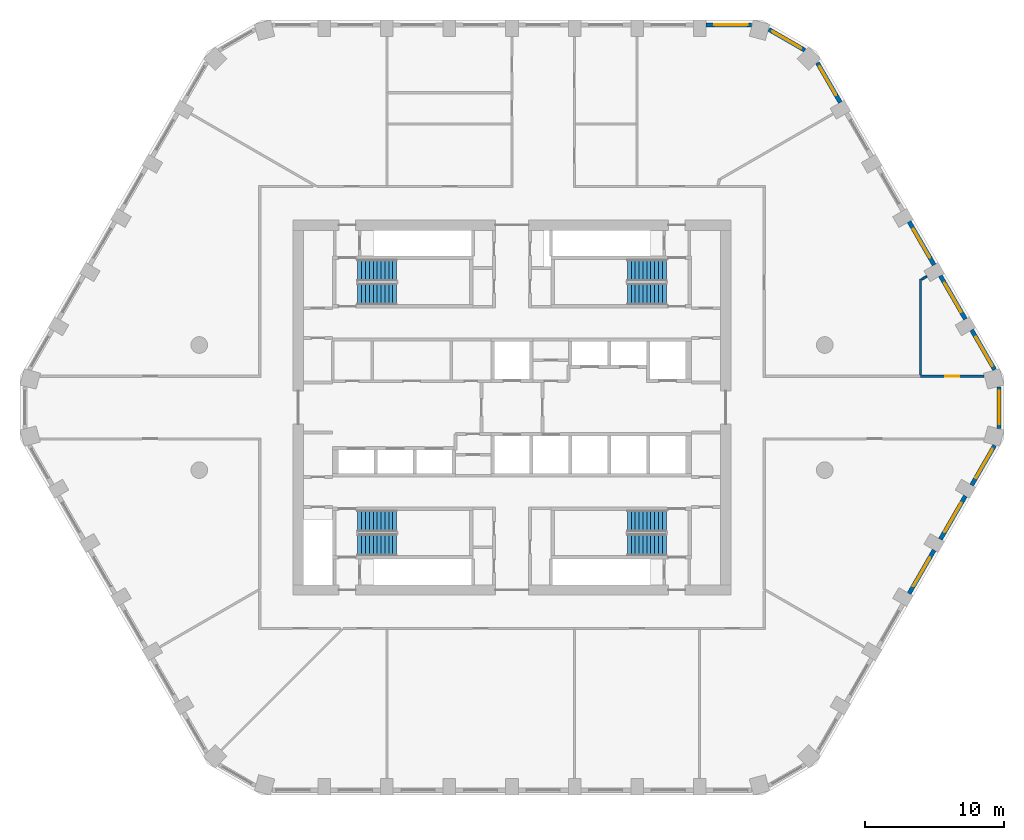
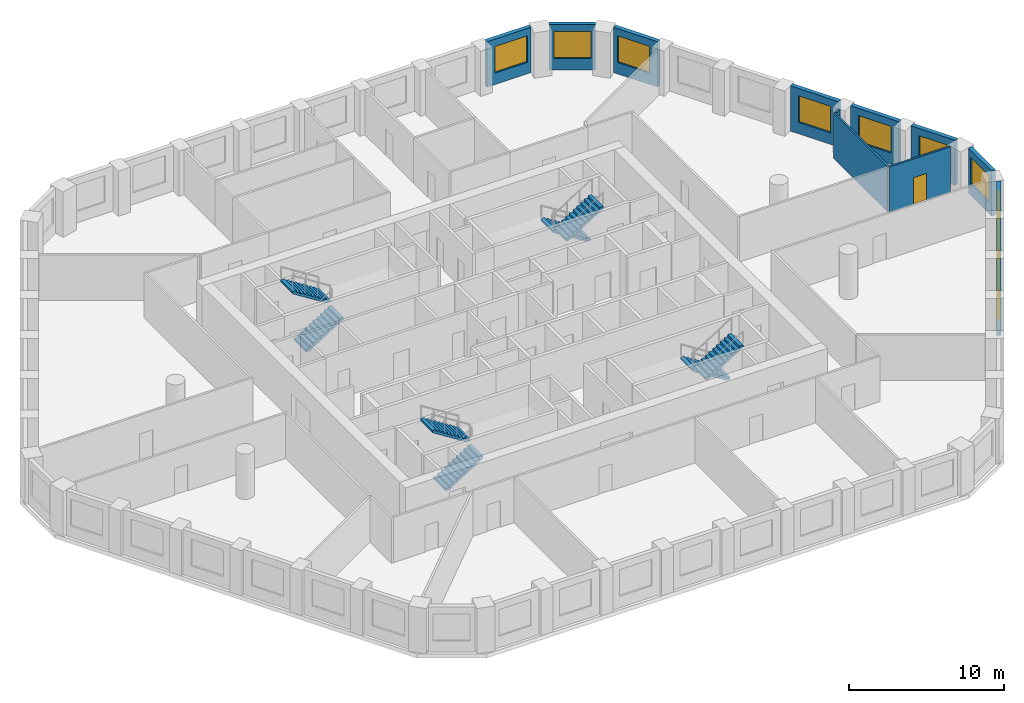
# One storey, part 8 of 9: 13 walls, 10 windows, 8 stair flights, 1 door, 11 openings, 4 elements without a shape of their own.
"""IFC4 building model written with IfcOpenShell, lengths in metres."""

from ifc_helpers import new_model, si_unit, direction, frame, frame_2d, origin, place, context, subcontext, project, spatial, polyline, rectangle, outline, extrude, material, layer, layer_set, type_object, element, fill, aggregate, save


model = new_model("IFC4")

# Units and contexts
model_context = context("Model", 3, precision=1e-05, world=origin(), true_north=direction((0.0, 1.0)))
body_context = subcontext(model_context, "Body", "Model", "MODEL_VIEW")
ifc_project = project(units=[si_unit("LENGTHUNIT", "METRE"), si_unit("AREAUNIT", "SQUARE_METRE"), si_unit("VOLUMEUNIT", "CUBIC_METRE"), si_unit("PLANEANGLEUNIT", "RADIAN"), si_unit("MASSUNIT", "GRAM", prefix="KILO")], contexts=[model_context])

# Site, building, storey
site_placement = place(None, origin())
site = spatial("IfcSite", under=ifc_project, at=site_placement, CompositionType="ELEMENT")
building_placement = place(site_placement, origin())
building = spatial("IfcBuilding", under=site, at=building_placement, Name="Dhurran Vertical Campus", CompositionType="ELEMENT")
storey_placement = place(building_placement, frame((0.0, 0.0, 163.800048828125)))
storey = spatial("IfcBuildingStorey", under=building, at=storey_placement, Name="L40", CompositionType="ELEMENT", Elevation=163.800048828125)

# Wall, opening, window
ifc_material_1 = material(Name="Precast concrete C50/60", Category="concrete")
ifc_layer_1 = layer(ifc_material_1, 0.300048828125)
ifc_layer_set_1 = layer_set([ifc_layer_1], Name="Precast concrete C50/60")
wall_type_1 = type_object("IfcWallType", Name="Precast spandrel wall 300", PredefinedType="SOLIDWALL", material=ifc_layer_set_1)
wall_1_placement = place(storey_placement, frame((28.5693359375, -13.376220703125, 0.0), z_axis=(0.0, 0.0, 1.0), x_axis=(0.500027802648, 0.866009351323, 0.0)))
wall_1 = element("IfcWall", 1, at=wall_1_placement, inside=storey, type_object=wall_type_1, Name="EW1 L40.12", PredefinedType="SOLIDWALL", context=body_context, shape_type="SweptSolid", body=[
    extrude(rectangle(XDim=3.598876953125, YDim=0.300048828125, at=frame_2d((1.79931640625, 0.0))), origin(), (0.0, 0.0, 1.0), 3.574951171875),
])
opening_1_placement = place(wall_1_placement, frame((0.599609375, 0.0, 0.89990234375)))
opening_1 = element("IfcOpeningElement", 2, at=opening_1_placement, cuts=wall_1, Name="Opening WT1", PredefinedType="OPENING", context=body_context, shape_type="SweptSolid", body=[
    extrude(rectangle(XDim=2.39990234375, YDim=2.10009765625, at=frame_2d((1.199951171875, 1.050048828125))), frame((0.0, 0.159912109375, 0.0), z_axis=(0.0, -1.0, 0.0), x_axis=(1.0, 0.0, 0.0)), (0.0, 0.0, 1.0), 0.320068359375),
])
ifc_material_2 = material(Name="Aluminium frame with solar-control glass", Category="aluminium")
window_type = type_object("IfcWindowType", Name="Punched window 2400 x 2100", PartitioningType="SINGLE_PANEL", PredefinedType="WINDOW", material=ifc_material_2)
window_1_placement = place(opening_1_placement, origin())
window_1 = element("IfcWindow", 3, at=window_1_placement, inside=storey, type_object=window_type, Name="WT1 L40.12", OverallHeight=2.10009765625, OverallWidth=2.39990234375, PartitioningType="SINGLE_PANEL", PredefinedType="WINDOW", context=body_context, shape_type="SweptSolid", body=[
    extrude(rectangle(XDim=2.39990234375, YDim=2.10009765625, at=frame_2d((1.199951171875, 1.050048828125))), frame((0.0, 0.030029296875, 0.0), z_axis=(0.0, -1.0, 0.0), x_axis=(1.0, 0.0, 0.0)), (0.0, 0.0, 1.0), 0.06005859375),
])
fill(opening_1, window_1)

wall_2_placement = place(storey_placement, frame((30.8193359375, -9.47900390625, 0.0), z_axis=(0.0, 0.0, 1.0), x_axis=(0.500027802648, 0.866009351323, 0.0)))
wall_2 = element("IfcWall", 4, at=wall_2_placement, inside=storey, type_object=wall_type_1, Name="EW1 L40.13", PredefinedType="SOLIDWALL", context=body_context, shape_type="SweptSolid", body=[
    extrude(rectangle(XDim=3.598876953125, YDim=0.300048828125, at=frame_2d((1.79931640625, 0.0))), origin(), (0.0, 0.0, 1.0), 3.574951171875),
])
opening_2_placement = place(wall_2_placement, frame((0.599609375, 0.0, 0.89990234375)))
opening_2 = element("IfcOpeningElement", 5, at=opening_2_placement, cuts=wall_2, Name="Opening WT1", PredefinedType="OPENING", context=body_context, shape_type="SweptSolid", body=[
    extrude(rectangle(XDim=2.39990234375, YDim=2.10009765625, at=frame_2d((1.199951171875, 1.050048828125))), frame((0.0, 0.159912109375, 0.0), z_axis=(0.0, -1.0, 0.0), x_axis=(1.0, 0.0, 0.0)), (0.0, 0.0, 1.0), 0.320068359375),
])
window_2_placement = place(opening_2_placement, origin())
window_2 = element("IfcWindow", 6, at=window_2_placement, inside=storey, type_object=window_type, Name="WT1 L40.13", OverallHeight=2.10009765625, OverallWidth=2.39990234375, PartitioningType="SINGLE_PANEL", PredefinedType="WINDOW", context=body_context, shape_type="SweptSolid", body=[
    extrude(rectangle(XDim=2.39990234375, YDim=2.10009765625, at=frame_2d((1.199951171875, 1.050048828125))), frame((0.0, 0.030029296875, 0.0), z_axis=(0.0, -1.0, 0.0), x_axis=(1.0, 0.0, 0.0)), (0.0, 0.0, 1.0), 0.06005859375),
])
fill(opening_2, window_2)

wall_3_placement = place(storey_placement, frame((33.0693359375, -5.58203125, 0.0), z_axis=(0.0, 0.0, 1.0), x_axis=(0.499981217486, 0.866036247602, 0.0)))
wall_3 = element("IfcWall", 7, at=wall_3_placement, inside=storey, type_object=wall_type_1, Name="EW1 L40.14", PredefinedType="SOLIDWALL", context=body_context, shape_type="SweptSolid", body=[
    extrude(rectangle(XDim=3.294189453125, YDim=0.300048828125, at=frame_2d((1.64697265625, 0.0))), origin(), (0.0, 0.0, 1.0), 3.574951171875),
])
opening_3_placement = place(wall_3_placement, frame((0.599609375, 0.0, 0.89990234375)))
opening_3 = element("IfcOpeningElement", 8, at=opening_3_placement, cuts=wall_3, Name="Opening WT1", PredefinedType="OPENING", context=body_context, shape_type="SweptSolid", body=[
    extrude(rectangle(XDim=2.39990234375, YDim=2.10009765625, at=frame_2d((1.199951171875, 1.050048828125))), frame((0.0, 0.159912109375, 0.0), z_axis=(0.0, -1.0, 0.0), x_axis=(1.0, 0.0, 0.0)), (0.0, 0.0, 1.0), 0.320068359375),
])
window_3_placement = place(opening_3_placement, origin())
window_3 = element("IfcWindow", 9, at=window_3_placement, inside=storey, type_object=window_type, Name="WT1 L40.14", OverallHeight=2.10009765625, OverallWidth=2.39990234375, PartitioningType="SINGLE_PANEL", PredefinedType="WINDOW", context=body_context, shape_type="SweptSolid", body=[
    extrude(rectangle(XDim=2.39990234375, YDim=2.10009765625, at=frame_2d((1.199951171875, 1.050048828125))), frame((0.0, 0.030029296875, 0.0), z_axis=(0.0, -1.0, 0.0), x_axis=(1.0, 0.0, 0.0)), (0.0, 0.0, 1.0), 0.06005859375),
])
fill(opening_3, window_3)

wall_4_placement = place(storey_placement, frame((35.047119140625, -1.49462890625, 0.0), z_axis=(0.0, 0.0, 1.0), x_axis=(0.0, 1.0, 0.0)))
wall_4 = element("IfcWall", 10, at=wall_4_placement, inside=storey, type_object=wall_type_1, Name="EW1 L40.15", PredefinedType="SOLIDWALL", context=body_context, shape_type="SweptSolid", body=[
    extrude(rectangle(XDim=2.9892578125, YDim=0.300048828125, at=frame_2d((1.49462890625, 0.0))), origin(), (0.0, 0.0, 1.0), 3.574951171875),
])
opening_4_placement = place(wall_4_placement, frame((0.294677734375, 0.0, 0.89990234375)))
opening_4 = element("IfcOpeningElement", 11, at=opening_4_placement, cuts=wall_4, Name="Opening WT1", PredefinedType="OPENING", context=body_context, shape_type="SweptSolid", body=[
    extrude(rectangle(XDim=2.39990234375, YDim=2.10009765625, at=frame_2d((1.199951171875, 1.050048828125))), frame((0.0, 0.159912109375, 0.0), z_axis=(0.0, -1.0, 0.0), x_axis=(1.0, 0.0, 0.0)), (0.0, 0.0, 1.0), 0.320068359375),
])
window_4_placement = place(opening_4_placement, origin())
window_4 = element("IfcWindow", 12, at=window_4_placement, inside=storey, type_object=window_type, Name="WT1 L40.15", OverallHeight=2.10009765625, OverallWidth=2.39990234375, PartitioningType="SINGLE_PANEL", PredefinedType="WINDOW", context=body_context, shape_type="SweptSolid", body=[
    extrude(rectangle(XDim=2.39990234375, YDim=2.10009765625, at=frame_2d((1.199951171875, 1.050048828125))), frame((0.0, 0.030029296875, 0.0), z_axis=(0.0, -1.0, 0.0), x_axis=(1.0, 0.0, 0.0)), (0.0, 0.0, 1.0), 0.06005859375),
])
fill(opening_4, window_4)

wall_5_placement = place(storey_placement, frame((34.71630859375, 2.729248046875, 0.0), z_axis=(0.0, 0.0, 1.0), x_axis=(-0.499981217486, 0.866036247602, 0.0)))
wall_5 = element("IfcWall", 13, at=wall_5_placement, inside=storey, type_object=wall_type_1, Name="EW1 L40.16", PredefinedType="SOLIDWALL", context=body_context, shape_type="SweptSolid", body=[
    extrude(rectangle(XDim=3.294189453125, YDim=0.300048828125, at=frame_2d((1.64697265625, 0.0))), origin(), (0.0, 0.0, 1.0), 3.574951171875),
])
opening_5_placement = place(wall_5_placement, frame((0.294677734375, 0.0, 0.89990234375)))
opening_5 = element("IfcOpeningElement", 14, at=opening_5_placement, cuts=wall_5, Name="Opening WT1", PredefinedType="OPENING", context=body_context, shape_type="SweptSolid", body=[
    extrude(rectangle(XDim=2.39990234375, YDim=2.10009765625, at=frame_2d((1.199951171875, 1.050048828125))), frame((0.0, 0.159912109375, 0.0), z_axis=(0.0, -1.0, 0.0), x_axis=(1.0, 0.0, 0.0)), (0.0, 0.0, 1.0), 0.320068359375),
])
window_5_placement = place(opening_5_placement, origin())
window_5 = element("IfcWindow", 15, at=window_5_placement, inside=storey, type_object=window_type, Name="WT1 L40.16", OverallHeight=2.10009765625, OverallWidth=2.39990234375, PartitioningType="SINGLE_PANEL", PredefinedType="WINDOW", context=body_context, shape_type="SweptSolid", body=[
    extrude(rectangle(XDim=2.39990234375, YDim=2.10009765625, at=frame_2d((1.199951171875, 1.050048828125))), frame((0.0, 0.030029296875, 0.0), z_axis=(0.0, -1.0, 0.0), x_axis=(1.0, 0.0, 0.0)), (0.0, 0.0, 1.0), 0.06005859375),
])
fill(opening_5, window_5)

wall_6_placement = place(storey_placement, frame((32.618896484375, 6.3623046875, 0.0), z_axis=(0.0, 0.0, 1.0), x_axis=(-0.500027802648, 0.866009351323, 0.0)))
wall_6 = element("IfcWall", 16, at=wall_6_placement, inside=storey, type_object=wall_type_1, Name="EW1 L40.17", PredefinedType="SOLIDWALL", context=body_context, shape_type="SweptSolid", body=[
    extrude(rectangle(XDim=3.598876953125, YDim=0.300048828125, at=frame_2d((1.79931640625, 0.0))), origin(), (0.0, 0.0, 1.0), 3.574951171875),
])
opening_6_placement = place(wall_6_placement, frame((0.599609375, 0.0, 0.89990234375)))
opening_6 = element("IfcOpeningElement", 17, at=opening_6_placement, cuts=wall_6, Name="Opening WT1", PredefinedType="OPENING", context=body_context, shape_type="SweptSolid", body=[
    extrude(rectangle(XDim=2.39990234375, YDim=2.10009765625, at=frame_2d((1.199951171875, 1.050048828125))), frame((0.0, 0.159912109375, 0.0), z_axis=(0.0, -1.0, 0.0), x_axis=(1.0, 0.0, 0.0)), (0.0, 0.0, 1.0), 0.320068359375),
])
window_6_placement = place(opening_6_placement, origin())
window_6 = element("IfcWindow", 18, at=window_6_placement, inside=storey, type_object=window_type, Name="WT1 L40.17", OverallHeight=2.10009765625, OverallWidth=2.39990234375, PartitioningType="SINGLE_PANEL", PredefinedType="WINDOW", context=body_context, shape_type="SweptSolid", body=[
    extrude(rectangle(XDim=2.39990234375, YDim=2.10009765625, at=frame_2d((1.199951171875, 1.050048828125))), frame((0.0, 0.030029296875, 0.0), z_axis=(0.0, -1.0, 0.0), x_axis=(1.0, 0.0, 0.0)), (0.0, 0.0, 1.0), 0.06005859375),
])
fill(opening_6, window_6)

wall_7_placement = place(storey_placement, frame((30.368896484375, 10.259521484375, 0.0), z_axis=(0.0, 0.0, 1.0), x_axis=(-0.500027802648, 0.866009351323, 0.0)))
wall_7 = element("IfcWall", 19, at=wall_7_placement, inside=storey, type_object=wall_type_1, Name="EW1 L40.18", PredefinedType="SOLIDWALL", context=body_context, shape_type="SweptSolid", body=[
    extrude(rectangle(XDim=3.598876953125, YDim=0.300048828125, at=frame_2d((1.79931640625, 0.0))), origin(), (0.0, 0.0, 1.0), 3.574951171875),
])
opening_7_placement = place(wall_7_placement, frame((0.599609375, 0.0, 0.89990234375)))
opening_7 = element("IfcOpeningElement", 20, at=opening_7_placement, cuts=wall_7, Name="Opening WT1", PredefinedType="OPENING", context=body_context, shape_type="SweptSolid", body=[
    extrude(rectangle(XDim=2.39990234375, YDim=2.10009765625, at=frame_2d((1.199951171875, 1.050048828125))), frame((0.0, 0.159912109375, 0.0), z_axis=(0.0, -1.0, 0.0), x_axis=(1.0, 0.0, 0.0)), (0.0, 0.0, 1.0), 0.320068359375),
])
window_7_placement = place(opening_7_placement, origin())
window_7 = element("IfcWindow", 21, at=window_7_placement, inside=storey, type_object=window_type, Name="WT1 L40.18", OverallHeight=2.10009765625, OverallWidth=2.39990234375, PartitioningType="SINGLE_PANEL", PredefinedType="WINDOW", context=body_context, shape_type="SweptSolid", body=[
    extrude(rectangle(XDim=2.39990234375, YDim=2.10009765625, at=frame_2d((1.199951171875, 1.050048828125))), frame((0.0, 0.030029296875, 0.0), z_axis=(0.0, -1.0, 0.0), x_axis=(1.0, 0.0, 0.0)), (0.0, 0.0, 1.0), 0.06005859375),
])
fill(opening_7, window_7)

wall_8_placement = place(storey_placement, frame((23.618896484375, 21.95068359375, 0.0), z_axis=(0.0, 0.0, 1.0), x_axis=(-0.500036802197, 0.866004154983, 0.0)))
wall_8 = element("IfcWall", 22, at=wall_8_placement, inside=storey, type_object=wall_type_1, Name="EW1 L40.21", PredefinedType="SOLIDWALL", context=body_context, shape_type="SweptSolid", body=[
    extrude(rectangle(XDim=3.294189453125, YDim=0.300048828125, at=frame_2d((1.64697265625, 0.0))), origin(), (0.0, 0.0, 1.0), 3.574951171875),
])
opening_8_placement = place(wall_8_placement, frame((0.599609375, 0.0, 0.89990234375)))
opening_8 = element("IfcOpeningElement", 23, at=opening_8_placement, cuts=wall_8, Name="Opening WT1", PredefinedType="OPENING", context=body_context, shape_type="SweptSolid", body=[
    extrude(rectangle(XDim=2.39990234375, YDim=2.10009765625, at=frame_2d((1.199951171875, 1.050048828125))), frame((0.0, 0.159912109375, 0.0), z_axis=(0.0, -1.0, 0.0), x_axis=(1.0, 0.0, 0.0)), (0.0, 0.0, 1.0), 0.320068359375),
])
window_8_placement = place(opening_8_placement, origin())
window_8 = element("IfcWindow", 24, at=window_8_placement, inside=storey, type_object=window_type, Name="WT1 L40.21", OverallHeight=2.10009765625, OverallWidth=2.39990234375, PartitioningType="SINGLE_PANEL", PredefinedType="WINDOW", context=body_context, shape_type="SweptSolid", body=[
    extrude(rectangle(XDim=2.39990234375, YDim=2.10009765625, at=frame_2d((1.199951171875, 1.050048828125))), frame((0.0, 0.030029296875, 0.0), z_axis=(0.0, -1.0, 0.0), x_axis=(1.0, 0.0, 0.0)), (0.0, 0.0, 1.0), 0.06005859375),
])
fill(opening_8, window_8)

wall_9_placement = place(storey_placement, frame((21.06787109375, 25.707275390625, 0.0), z_axis=(0.0, 0.0, 1.0), x_axis=(-0.866012844897, 0.500021752, 0.0)))
wall_9 = element("IfcWall", 25, at=wall_9_placement, inside=storey, type_object=wall_type_1, Name="EW1 L40.22", PredefinedType="SOLIDWALL", context=body_context, shape_type="SweptSolid", body=[
    extrude(rectangle(XDim=2.989013671875, YDim=0.300048828125, at=frame_2d((1.49462890625, 0.0))), origin(), (0.0, 0.0, 1.0), 3.574951171875),
])
opening_9_placement = place(wall_9_placement, frame((0.294677734375, 0.0, 0.89990234375)))
opening_9 = element("IfcOpeningElement", 26, at=opening_9_placement, cuts=wall_9, Name="Opening WT1", PredefinedType="OPENING", context=body_context, shape_type="SweptSolid", body=[
    extrude(rectangle(XDim=2.39990234375, YDim=2.10009765625, at=frame_2d((1.199951171875, 1.050048828125))), frame((0.0, 0.159912109375, 0.0), z_axis=(0.0, -1.0, 0.0), x_axis=(1.0, 0.0, 0.0)), (0.0, 0.0, 1.0), 0.320068359375),
])
window_9_placement = place(opening_9_placement, origin())
window_9 = element("IfcWindow", 27, at=window_9_placement, inside=storey, type_object=window_type, Name="WT1 L40.22", OverallHeight=2.10009765625, OverallWidth=2.39990234375, PartitioningType="SINGLE_PANEL", PredefinedType="WINDOW", context=body_context, shape_type="SweptSolid", body=[
    extrude(rectangle(XDim=2.39990234375, YDim=2.10009765625, at=frame_2d((1.199951171875, 1.050048828125))), frame((0.0, 0.030029296875, 0.0), z_axis=(0.0, -1.0, 0.0), x_axis=(1.0, 0.0, 0.0)), (0.0, 0.0, 1.0), 0.06005859375),
])
fill(opening_9, window_9)

wall_10_placement = place(storey_placement, frame((17.24462890625, 27.53271484375, 0.0), z_axis=(0.0, 0.0, 1.0), x_axis=(-1.0, 0.0, 0.0)))
wall_10 = element("IfcWall", 28, at=wall_10_placement, inside=storey, type_object=wall_type_1, Name="EW1 L40.23", PredefinedType="SOLIDWALL", context=body_context, shape_type="SweptSolid", body=[
    extrude(rectangle(XDim=3.294189453125, YDim=0.300048828125, at=frame_2d((1.64697265625, 0.0))), origin(), (0.0, 0.0, 1.0), 3.574951171875),
])
opening_10_placement = place(wall_10_placement, frame((0.294677734375, 0.0, 0.89990234375)))
opening_10 = element("IfcOpeningElement", 29, at=opening_10_placement, cuts=wall_10, Name="Opening WT1", PredefinedType="OPENING", context=body_context, shape_type="SweptSolid", body=[
    extrude(rectangle(XDim=2.39990234375, YDim=2.10009765625, at=frame_2d((1.199951171875, 1.050048828125))), frame((0.0, 0.159912109375, 0.0), z_axis=(0.0, -1.0, 0.0), x_axis=(1.0, 0.0, 0.0)), (0.0, 0.0, 1.0), 0.320068359375),
])
window_10_placement = place(opening_10_placement, origin())
window_10 = element("IfcWindow", 30, at=window_10_placement, inside=storey, type_object=window_type, Name="WT1 L40.23", OverallHeight=2.10009765625, OverallWidth=2.39990234375, PartitioningType="SINGLE_PANEL", PredefinedType="WINDOW", context=body_context, shape_type="SweptSolid", body=[
    extrude(rectangle(XDim=2.39990234375, YDim=2.10009765625, at=frame_2d((1.199951171875, 1.050048828125))), frame((0.0, 0.030029296875, 0.0), z_axis=(0.0, -1.0, 0.0), x_axis=(1.0, 0.0, 0.0)), (0.0, 0.0, 1.0), 0.06005859375),
])
fill(opening_10, window_10)

# Wall, opening, door
ifc_material_3 = material(Name="Gypsum board corridor wall on steel studs", Category="steel")
ifc_layer_2 = layer(ifc_material_3, 0.14990234375)
ifc_layer_set_2 = layer_set([ifc_layer_2], Name="Gypsum board corridor wall on steel studs")
wall_type_2 = type_object("IfcWallType", Name="fl-CW-150 corridor wall", PredefinedType="PARTITIONING", material=ifc_layer_set_2)
wall_11_placement = place(storey_placement, frame((29.39990234375, 2.25, 0.0), z_axis=(0.0, 0.0, 1.0), x_axis=(1.0, 0.0, 0.0)))
wall_11 = element("IfcWall", 31, at=wall_11_placement, inside=storey, type_object=wall_type_2, Name="Partition 40-45", PredefinedType="PARTITIONING", context=body_context, shape_type="SweptSolid", body=[
    extrude(rectangle(XDim=4.56787109375, YDim=0.14990234375, at=frame_2d((2.283935546875, 0.0))), origin(), (0.0, 0.0, 1.0), 3.574951171875),
])
opening_11_placement = place(wall_11_placement, frame((1.783935546875, 0.0, 0.0)))
opening_11 = element("IfcOpeningElement", 32, at=opening_11_placement, cuts=wall_11, Name="Opening T11.17", PredefinedType="OPENING", context=body_context, shape_type="SweptSolid", body=[
    extrude(rectangle(XDim=1.0, YDim=2.10009765625, at=frame_2d((0.5, 1.050048828125))), frame((0.0, 0.0849609375, 0.0), z_axis=(0.0, -1.0, 0.0), x_axis=(1.0, 0.0, 0.0)), (0.0, 0.0, 1.0), 0.169921875),
])
ifc_material_4 = material(Name="Solid-core timber door set, fire-rated", Category="wood")
door_type = type_object("IfcDoorType", Name="fl-D-1000x2100", OperationType="SINGLE_SWING_LEFT", PredefinedType="DOOR", material=ifc_material_4)
door_placement = place(opening_11_placement, origin())
door = element("IfcDoor", 33, at=door_placement, inside=storey, type_object=door_type, Name="Door 40.17", OperationType="SINGLE_SWING_LEFT", OverallHeight=2.10009765625, OverallWidth=1.0, PredefinedType="DOOR", context=body_context, shape_type="SweptSolid", body=[
    extrude(rectangle(XDim=1.0, YDim=2.10009765625, at=frame_2d((0.5, 1.050048828125))), frame((0.0, 0.02490234375, 0.0), z_axis=(0.0, -1.0, 0.0), x_axis=(1.0, 0.0, 0.0)), (0.0, 0.0, 1.0), 0.050048828125),
])
fill(opening_11, door)

# Walls
ifc_material_5 = material(Name="Folding acoustic partition panels")
ifc_layer_3 = layer(ifc_material_5, 0.14990234375)
ifc_layer_set_3 = layer_set([ifc_layer_3], Name="Folding acoustic partition panels")
wall_type_3 = type_object("IfcWallType", Name="fl-MW-150 movable partition", PredefinedType="MOVABLE", material=ifc_layer_set_3)
wall_12_placement = place(storey_placement, frame((29.39990234375, 9.2548828125, 0.0), z_axis=(0.0, 0.0, 1.0), x_axis=(0.0, -1.0, 0.0)))
element("IfcWall", 34, at=wall_12_placement, inside=storey, type_object=wall_type_3, Name="Partition 40-44", PredefinedType="MOVABLE", context=body_context, shape_type="SweptSolid", body=[
    extrude(rectangle(XDim=6.929931640625, YDim=0.14990234375, at=frame_2d((3.46484375, 0.0))), origin(), (0.0, 0.0, 1.0), 3.574951171875),
])
wall_13_placement = place(storey_placement, frame((29.840576171875, 9.434326171875, 0.0), z_axis=(0.0, 0.0, 1.0), x_axis=(-0.865916841101, -0.500187988959, 0.0)))
element("IfcWall", 35, at=wall_13_placement, inside=storey, type_object=wall_type_3, Name="Partition 40-46", PredefinedType="MOVABLE", context=body_context, shape_type="SweptSolid", body=[
    extrude(rectangle(XDim=0.408447265625, YDim=0.14990234375, at=frame_2d((0.2041015625, 0.0))), origin(), (0.0, 0.0, 1.0), 3.574951171875),
])

# Stair, stair flights
ifc_material_6 = material(Name="Concrete C40/50", Category="concrete")
stair_type = type_object("IfcStairType", Name="co-ST-CORE", PredefinedType="HALF_TURN_STAIR", material=ifc_material_6)
stair_1_placement = place(storey_placement, origin())
stair_1 = element("IfcStair", 36, at=stair_1_placement, inside=storey, type_object=stair_type, Name="L40 Protected exit stair ST1", PredefinedType="HALF_TURN_STAIR")
ifc_material_7 = material(Name="Concrete C40/50", Category="concrete")
stair_flight_type = type_object("IfcStairFlightType", Name="co-SFL-RC", PredefinedType="STRAIGHT", material=ifc_material_7)
stair_flight_1_placement = place(storey_placement, frame((-11.10009765625, 8.175048828125, 0.0), z_axis=(0.0, 0.0, 1.0), x_axis=(1.0, 0.0, 0.0)))
stair_flight_1 = element("IfcStairFlight", 37, at=stair_flight_1_placement, type_object=stair_flight_type, Name="ST1 flight 1", NumberOfRisers=11, NumberOfTreads=10, PredefinedType="STRAIGHT", RiserHeight=0.177272727, TreadLength=0.28, context=body_context, shape_type="SweptSolid", body=[
    extrude(outline(polyline([(0.0, 0.0), (0.0, 0.17724609375), (0.280029296875, 0.17724609375), (0.280029296875, 0.3544921875), (0.56005859375, 0.3544921875), (0.56005859375, 0.53173828125), (0.840087890625, 0.53173828125), (0.840087890625, 0.708984375), (1.1201171875, 0.708984375), (1.1201171875, 0.886474609375), (1.39990234375, 0.886474609375), (1.39990234375, 1.063720703125), (1.679931640625, 1.063720703125), (1.679931640625, 1.240966796875), (1.9599609375, 1.240966796875), (1.9599609375, 1.418212890625), (2.239990234375, 1.418212890625), (2.239990234375, 1.595458984375), (2.52001953125, 1.595458984375), (2.52001953125, 1.772705078125), (2.800048828125, 1.772705078125), (2.800048828125, 1.949951171875), (2.800048828125, 1.59521484375), (0.2802734375, 0.0), (0.0, 0.0)])), frame((0.0, 0.77490234375, 0.0), z_axis=(0.0, -1.0, 0.0), x_axis=(1.0, 0.0, 0.0)), (0.0, 0.0, 1.0), 1.550048828125),
])
stair_flight_2_placement = place(storey_placement, frame((-8.300048828125, 9.875, 1.949951171875), z_axis=(0.0, 0.0, 1.0), x_axis=(-1.0, 0.0, 0.0)))
stair_flight_2 = element("IfcStairFlight", 38, at=stair_flight_2_placement, type_object=stair_flight_type, Name="ST1 flight 2", NumberOfRisers=11, NumberOfTreads=10, PredefinedType="STRAIGHT", RiserHeight=0.177272727, TreadLength=0.28, context=body_context, shape_type="SweptSolid", body=[
    extrude(outline(polyline([(0.0, 0.0), (0.0, 0.17724609375), (0.280029296875, 0.17724609375), (0.280029296875, 0.3544921875), (0.56005859375, 0.3544921875), (0.56005859375, 0.53173828125), (0.840087890625, 0.53173828125), (0.840087890625, 0.708984375), (1.1201171875, 0.708984375), (1.1201171875, 0.886474609375), (1.39990234375, 0.886474609375), (1.39990234375, 1.063720703125), (1.679931640625, 1.063720703125), (1.679931640625, 1.240966796875), (1.9599609375, 1.240966796875), (1.9599609375, 1.418212890625), (2.239990234375, 1.418212890625), (2.239990234375, 1.595458984375), (2.52001953125, 1.595458984375), (2.52001953125, 1.772705078125), (2.800048828125, 1.772705078125), (2.800048828125, 1.949951171875), (2.800048828125, 1.59521484375), (0.2802734375, 0.0), (0.0, 0.0)])), frame((0.0, 0.77490234375, 0.0), z_axis=(0.0, -1.0, 0.0), x_axis=(1.0, 0.0, 0.0)), (0.0, 0.0, 1.0), 1.550048828125),
])
aggregate(stair_1, [stair_flight_1, stair_flight_2])

stair_2_placement = place(storey_placement, origin())
stair_2 = element("IfcStair", 39, at=stair_2_placement, inside=storey, type_object=stair_type, Name="L40 Protected exit stair ST2", PredefinedType="HALF_TURN_STAIR")
stair_flight_3_placement = place(storey_placement, frame((11.10009765625, 9.875, 0.0), z_axis=(0.0, 0.0, 1.0), x_axis=(-1.0, 0.0, 0.0)))
stair_flight_3 = element("IfcStairFlight", 40, at=stair_flight_3_placement, type_object=stair_flight_type, Name="ST2 flight 1", NumberOfRisers=11, NumberOfTreads=10, PredefinedType="STRAIGHT", RiserHeight=0.177272727, TreadLength=0.28, context=body_context, shape_type="SweptSolid", body=[
    extrude(outline(polyline([(0.0, 0.0), (0.0, 0.17724609375), (0.280029296875, 0.17724609375), (0.280029296875, 0.3544921875), (0.56005859375, 0.3544921875), (0.56005859375, 0.53173828125), (0.840087890625, 0.53173828125), (0.840087890625, 0.708984375), (1.1201171875, 0.708984375), (1.1201171875, 0.886474609375), (1.39990234375, 0.886474609375), (1.39990234375, 1.063720703125), (1.679931640625, 1.063720703125), (1.679931640625, 1.240966796875), (1.9599609375, 1.240966796875), (1.9599609375, 1.418212890625), (2.239990234375, 1.418212890625), (2.239990234375, 1.595458984375), (2.52001953125, 1.595458984375), (2.52001953125, 1.772705078125), (2.800048828125, 1.772705078125), (2.800048828125, 1.949951171875), (2.800048828125, 1.59521484375), (0.2802734375, 0.0), (0.0, 0.0)])), frame((0.0, 0.77490234375, 0.0), z_axis=(0.0, -1.0, 0.0), x_axis=(1.0, 0.0, 0.0)), (0.0, 0.0, 1.0), 1.550048828125),
])
stair_flight_4_placement = place(storey_placement, frame((8.300048828125, 8.175048828125, 1.949951171875), z_axis=(0.0, 0.0, 1.0), x_axis=(1.0, 0.0, 0.0)))
stair_flight_4 = element("IfcStairFlight", 41, at=stair_flight_4_placement, type_object=stair_flight_type, Name="ST2 flight 2", NumberOfRisers=11, NumberOfTreads=10, PredefinedType="STRAIGHT", RiserHeight=0.177272727, TreadLength=0.28, context=body_context, shape_type="SweptSolid", body=[
    extrude(outline(polyline([(0.0, 0.0), (0.0, 0.17724609375), (0.280029296875, 0.17724609375), (0.280029296875, 0.3544921875), (0.56005859375, 0.3544921875), (0.56005859375, 0.53173828125), (0.840087890625, 0.53173828125), (0.840087890625, 0.708984375), (1.1201171875, 0.708984375), (1.1201171875, 0.886474609375), (1.39990234375, 0.886474609375), (1.39990234375, 1.063720703125), (1.679931640625, 1.063720703125), (1.679931640625, 1.240966796875), (1.9599609375, 1.240966796875), (1.9599609375, 1.418212890625), (2.239990234375, 1.418212890625), (2.239990234375, 1.595458984375), (2.52001953125, 1.595458984375), (2.52001953125, 1.772705078125), (2.800048828125, 1.772705078125), (2.800048828125, 1.949951171875), (2.800048828125, 1.59521484375), (0.2802734375, 0.0), (0.0, 0.0)])), frame((0.0, 0.77490234375, 0.0), z_axis=(0.0, -1.0, 0.0), x_axis=(1.0, 0.0, 0.0)), (0.0, 0.0, 1.0), 1.550048828125),
])
aggregate(stair_2, [stair_flight_3, stair_flight_4])

stair_3_placement = place(storey_placement, origin())
stair_3 = element("IfcStair", 42, at=stair_3_placement, inside=storey, type_object=stair_type, Name="L40 Protected exit stair ST3", PredefinedType="HALF_TURN_STAIR")
stair_flight_5_placement = place(storey_placement, frame((-11.10009765625, -9.875, 0.0), z_axis=(0.0, 0.0, 1.0), x_axis=(1.0, 0.0, 0.0)))
stair_flight_5 = element("IfcStairFlight", 43, at=stair_flight_5_placement, type_object=stair_flight_type, Name="ST3 flight 1", NumberOfRisers=11, NumberOfTreads=10, PredefinedType="STRAIGHT", RiserHeight=0.177272727, TreadLength=0.28, context=body_context, shape_type="SweptSolid", body=[
    extrude(outline(polyline([(0.0, 0.0), (0.0, 0.17724609375), (0.280029296875, 0.17724609375), (0.280029296875, 0.3544921875), (0.56005859375, 0.3544921875), (0.56005859375, 0.53173828125), (0.840087890625, 0.53173828125), (0.840087890625, 0.708984375), (1.1201171875, 0.708984375), (1.1201171875, 0.886474609375), (1.39990234375, 0.886474609375), (1.39990234375, 1.063720703125), (1.679931640625, 1.063720703125), (1.679931640625, 1.240966796875), (1.9599609375, 1.240966796875), (1.9599609375, 1.418212890625), (2.239990234375, 1.418212890625), (2.239990234375, 1.595458984375), (2.52001953125, 1.595458984375), (2.52001953125, 1.772705078125), (2.800048828125, 1.772705078125), (2.800048828125, 1.949951171875), (2.800048828125, 1.59521484375), (0.2802734375, 0.0), (0.0, 0.0)])), frame((0.0, 0.77490234375, 0.0), z_axis=(0.0, -1.0, 0.0), x_axis=(1.0, 0.0, 0.0)), (0.0, 0.0, 1.0), 1.550048828125),
])
stair_flight_6_placement = place(storey_placement, frame((-8.300048828125, -8.175048828125, 1.949951171875), z_axis=(0.0, 0.0, 1.0), x_axis=(-1.0, 0.0, 0.0)))
stair_flight_6 = element("IfcStairFlight", 44, at=stair_flight_6_placement, type_object=stair_flight_type, Name="ST3 flight 2", NumberOfRisers=11, NumberOfTreads=10, PredefinedType="STRAIGHT", RiserHeight=0.177272727, TreadLength=0.28, context=body_context, shape_type="SweptSolid", body=[
    extrude(outline(polyline([(0.0, 0.0), (0.0, 0.17724609375), (0.280029296875, 0.17724609375), (0.280029296875, 0.3544921875), (0.56005859375, 0.3544921875), (0.56005859375, 0.53173828125), (0.840087890625, 0.53173828125), (0.840087890625, 0.708984375), (1.1201171875, 0.708984375), (1.1201171875, 0.886474609375), (1.39990234375, 0.886474609375), (1.39990234375, 1.063720703125), (1.679931640625, 1.063720703125), (1.679931640625, 1.240966796875), (1.9599609375, 1.240966796875), (1.9599609375, 1.418212890625), (2.239990234375, 1.418212890625), (2.239990234375, 1.595458984375), (2.52001953125, 1.595458984375), (2.52001953125, 1.772705078125), (2.800048828125, 1.772705078125), (2.800048828125, 1.949951171875), (2.800048828125, 1.59521484375), (0.2802734375, 0.0), (0.0, 0.0)])), frame((0.0, 0.77490234375, 0.0), z_axis=(0.0, -1.0, 0.0), x_axis=(1.0, 0.0, 0.0)), (0.0, 0.0, 1.0), 1.550048828125),
])
aggregate(stair_3, [stair_flight_5, stair_flight_6])

stair_4_placement = place(storey_placement, origin())
stair_4 = element("IfcStair", 45, at=stair_4_placement, inside=storey, type_object=stair_type, Name="L40 Protected exit stair ST4", PredefinedType="HALF_TURN_STAIR")
stair_flight_7_placement = place(storey_placement, frame((11.10009765625, -8.175048828125, 0.0), z_axis=(0.0, 0.0, 1.0), x_axis=(-1.0, 0.0, 0.0)))
stair_flight_7 = element("IfcStairFlight", 46, at=stair_flight_7_placement, type_object=stair_flight_type, Name="ST4 flight 1", NumberOfRisers=11, NumberOfTreads=10, PredefinedType="STRAIGHT", RiserHeight=0.177272727, TreadLength=0.28, context=body_context, shape_type="SweptSolid", body=[
    extrude(outline(polyline([(0.0, 0.0), (0.0, 0.17724609375), (0.280029296875, 0.17724609375), (0.280029296875, 0.3544921875), (0.56005859375, 0.3544921875), (0.56005859375, 0.53173828125), (0.840087890625, 0.53173828125), (0.840087890625, 0.708984375), (1.1201171875, 0.708984375), (1.1201171875, 0.886474609375), (1.39990234375, 0.886474609375), (1.39990234375, 1.063720703125), (1.679931640625, 1.063720703125), (1.679931640625, 1.240966796875), (1.9599609375, 1.240966796875), (1.9599609375, 1.418212890625), (2.239990234375, 1.418212890625), (2.239990234375, 1.595458984375), (2.52001953125, 1.595458984375), (2.52001953125, 1.772705078125), (2.800048828125, 1.772705078125), (2.800048828125, 1.949951171875), (2.800048828125, 1.59521484375), (0.2802734375, 0.0), (0.0, 0.0)])), frame((0.0, 0.77490234375, 0.0), z_axis=(0.0, -1.0, 0.0), x_axis=(1.0, 0.0, 0.0)), (0.0, 0.0, 1.0), 1.550048828125),
])
stair_flight_8_placement = place(storey_placement, frame((8.300048828125, -9.875, 1.949951171875), z_axis=(0.0, 0.0, 1.0), x_axis=(1.0, 0.0, 0.0)))
stair_flight_8 = element("IfcStairFlight", 47, at=stair_flight_8_placement, type_object=stair_flight_type, Name="ST4 flight 2", NumberOfRisers=11, NumberOfTreads=10, PredefinedType="STRAIGHT", RiserHeight=0.177272727, TreadLength=0.28, context=body_context, shape_type="SweptSolid", body=[
    extrude(outline(polyline([(0.0, 0.0), (0.0, 0.17724609375), (0.280029296875, 0.17724609375), (0.280029296875, 0.3544921875), (0.56005859375, 0.3544921875), (0.56005859375, 0.53173828125), (0.840087890625, 0.53173828125), (0.840087890625, 0.708984375), (1.1201171875, 0.708984375), (1.1201171875, 0.886474609375), (1.39990234375, 0.886474609375), (1.39990234375, 1.063720703125), (1.679931640625, 1.063720703125), (1.679931640625, 1.240966796875), (1.9599609375, 1.240966796875), (1.9599609375, 1.418212890625), (2.239990234375, 1.418212890625), (2.239990234375, 1.595458984375), (2.52001953125, 1.595458984375), (2.52001953125, 1.772705078125), (2.800048828125, 1.772705078125), (2.800048828125, 1.949951171875), (2.800048828125, 1.59521484375), (0.2802734375, 0.0), (0.0, 0.0)])), frame((0.0, 0.77490234375, 0.0), z_axis=(0.0, -1.0, 0.0), x_axis=(1.0, 0.0, 0.0)), (0.0, 0.0, 1.0), 1.550048828125),
])
aggregate(stair_4, [stair_flight_7, stair_flight_8])

save(model, "model.ifc")
